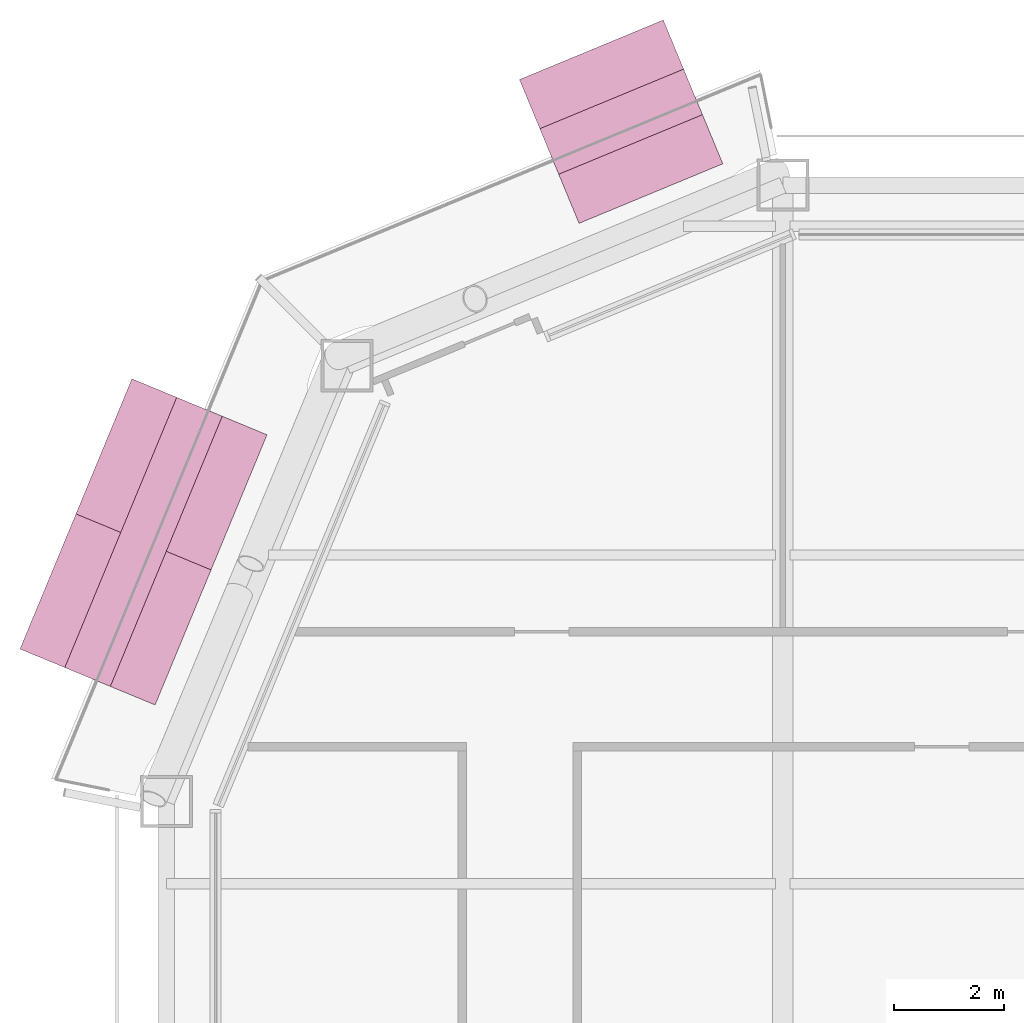
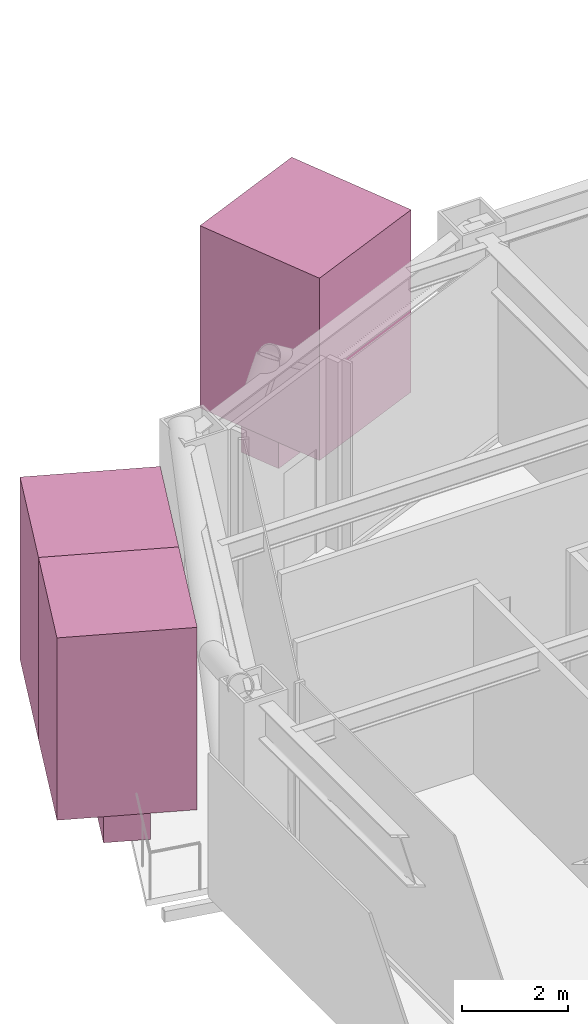
# One storey, part 23 of 23: 5 furnishings.
"""IFC4 building model written with IfcOpenShell, lengths in metres."""

from ifc_helpers import new_model, si_unit, direction, frame, origin, origin_2d, place, context, subcontext, project, spatial, rectangle, extrude, material, type_object, element, save


model = new_model("IFC4")

# Units and contexts
model_context = context("Model", 3, precision=1e-05, world=origin(), true_north=direction((0.0, 1.0)))
body_context = subcontext(model_context, "Body", "Model", "MODEL_VIEW")
ifc_project = project(units=[si_unit("LENGTHUNIT", "METRE"), si_unit("AREAUNIT", "SQUARE_METRE"), si_unit("VOLUMEUNIT", "CUBIC_METRE"), si_unit("PLANEANGLEUNIT", "RADIAN"), si_unit("MASSUNIT", "GRAM", prefix="KILO")], contexts=[model_context])

# Site, building, storey
site_placement = place(None, origin())
site = spatial("IfcSite", under=ifc_project, at=site_placement, CompositionType="ELEMENT")
building_placement = place(site_placement, origin())
building = spatial("IfcBuilding", under=site, at=building_placement, Name="Siwar Civic Tower", CompositionType="ELEMENT")
storey_placement = place(building_placement, frame((0.0, 0.0, 136.199951171875)))
storey = spatial("IfcBuildingStorey", under=building, at=storey_placement, Name="L29", CompositionType="ELEMENT", Elevation=136.199951171875)

# Furnishings
ifc_material_1 = material(Name="Planting soil and foliage")
furnishing_element_type_1 = type_object("IfcFurnishingElementType", Name="ENV-PLANTER", material=ifc_material_1)
furnishing_1_placement = place(storey_placement, frame((-20.949951171875, 30.409423828125, 0.0), z_axis=(0.0, 0.0, 1.0), x_axis=(-0.923879532511, -0.382683432365, 0.0)))
element("IfcFurnishingElement", 1, at=furnishing_1_placement, inside=storey, type_object=furnishing_element_type_1, Name="PLANTER NW 1", context=body_context, shape_type="SweptSolid", body=[
    extrude(rectangle(XDim=2.84130859375, YDim=0.89990234375, at=origin_2d()), origin(), (0.0, 0.0, 1.0), 0.60009765625),
])
furnishing_2_placement = place(storey_placement, frame((-29.66796875, 22.73974609375, 0.0), z_axis=(0.0, 0.0, 1.0), x_axis=(-0.382683432365, -0.923879532511, 0.0)))
element("IfcFurnishingElement", 2, at=furnishing_2_placement, inside=storey, type_object=furnishing_element_type_1, Name="PLANTER NW 2", context=body_context, shape_type="SweptSolid", body=[
    extrude(rectangle(XDim=5.33837890625, YDim=0.89990234375, at=origin_2d()), origin(), (0.0, 0.0, 1.0), 0.60009765625),
])
ifc_material_2 = material(Name="Planting soil and foliage")
furnishing_element_type_2 = type_object("IfcFurnishingElementType", Name="ENV-TREE", material=ifc_material_2)
furnishing_3_placement = place(storey_placement, frame((-20.949951171875, 30.409423828125, 0.60009765625), z_axis=(0.0, 0.0, 1.0), x_axis=(-0.923879532511, -0.382683432365, 0.0)))
element("IfcFurnishingElement", 3, at=furnishing_3_placement, inside=storey, type_object=furnishing_element_type_2, Name="PLANTER (TREE) NW 1.1", context=body_context, shape_type="SweptSolid", body=[
    extrude(rectangle(XDim=2.84130859375, YDim=2.84130859375, at=origin_2d()), origin(), (0.0, 0.0, 1.0), 4.199951171875),
])
for number, where, z_axis, x_axis, name in (
    (4, (-29.1572265625, 23.972900390625, 0.60009765625), (0.0, 0.0, 1.0), (-0.382683432365, -0.923879532511, 0.0), "PLANTER (TREE) NW 2.1"),
    (5, (-30.1787109375, 21.5068359375, 0.60009765625), (0.0, 0.0, 1.0), (-0.382683432365, -0.923879532511, 0.0), "PLANTER (TREE) NW 2.2"),
):
    element("IfcFurnishingElement", number, at=place(storey_placement, frame(where, z_axis=z_axis, x_axis=x_axis)), inside=storey, type_object=furnishing_element_type_2, Name=name, context=body_context, shape_type="SweptSolid", body=[
        extrude(rectangle(XDim=2.669189453125, YDim=2.669189453125, at=origin_2d()), origin(), (0.0, 0.0, 1.0), 4.199951171875),
    ])

save(model, "model.ifc")
